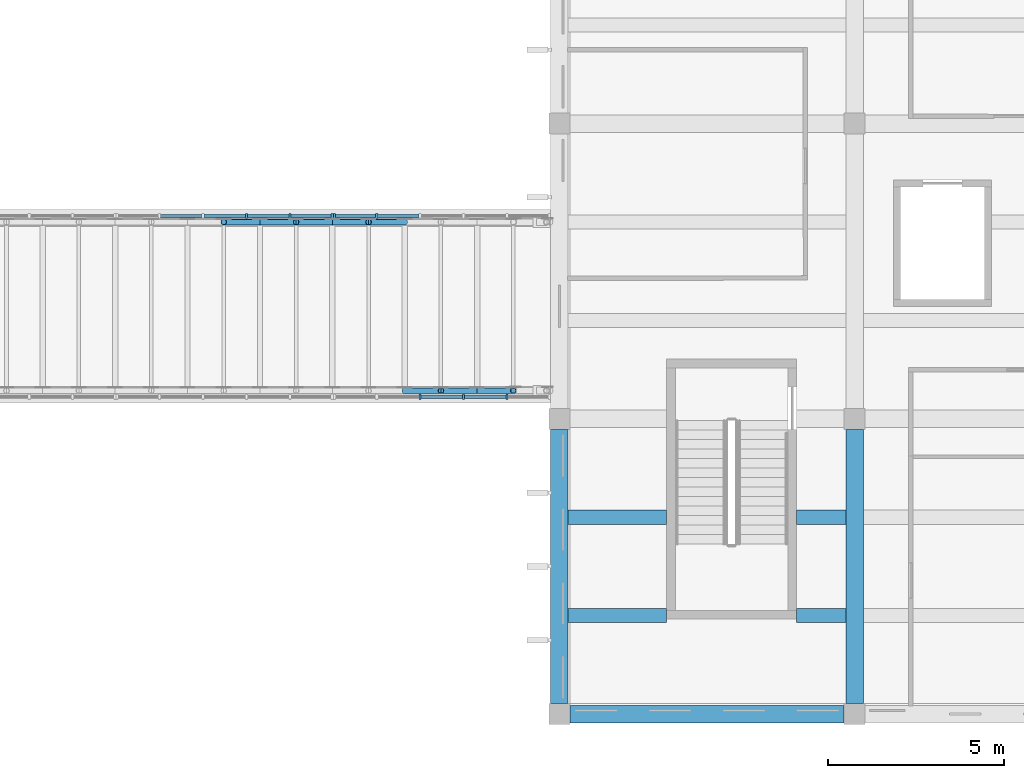
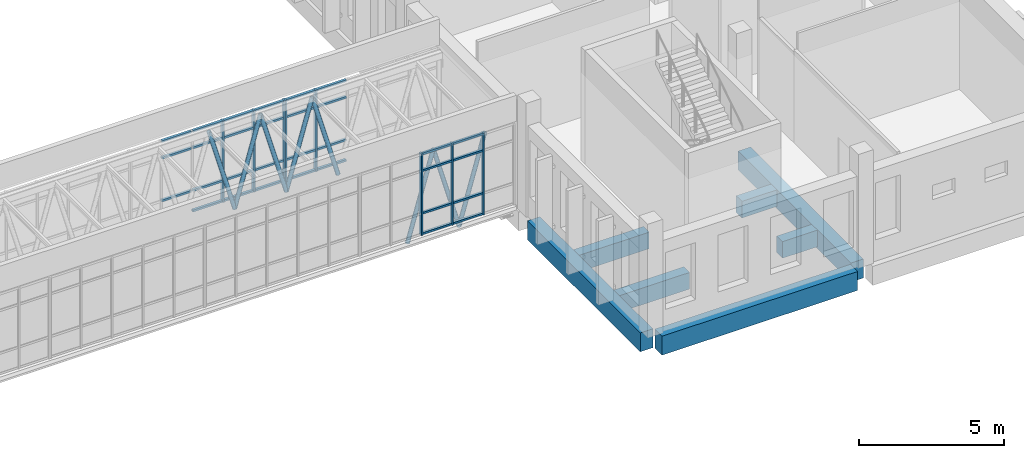
# One storey, part 13 of 119: 47 members, 7 beams, 3 elements without a shape of their own.
"""IFC4 building model written with IfcOpenShell, lengths in metres."""

from ifc_helpers import new_model, si_unit, direction, frame, origin, origin_2d, place, context, subcontext, project, spatial, rectangle, hollow_circle, extrude, material, layer, layer_set, material_profile, profile_set, type_object, element, aggregate, save


model = new_model("IFC4")

# Units and contexts
model_context = context("Model", 3, precision=1e-05, world=origin(), true_north=direction((0.0, 1.0)))
body_context = subcontext(model_context, "Body", "Model", "MODEL_VIEW")
ifc_project = project(units=[si_unit("LENGTHUNIT", "METRE"), si_unit("AREAUNIT", "SQUARE_METRE"), si_unit("VOLUMEUNIT", "CUBIC_METRE"), si_unit("PLANEANGLEUNIT", "RADIAN"), si_unit("MASSUNIT", "GRAM", prefix="KILO")], contexts=[model_context])

# Site, building, storey
site_placement = place(None, origin())
site = spatial("IfcSite", under=ifc_project, at=site_placement, CompositionType="ELEMENT")
building_placement = place(site_placement, origin())
building = spatial("IfcBuilding", under=site, at=building_placement, Name="Larchfold Concert Hall", CompositionType="ELEMENT")
storey_placement = place(building_placement, frame((0.0, 0.0, 4.800048828125)))
storey = spatial("IfcBuildingStorey", under=building, at=storey_placement, Name="L01", CompositionType="ELEMENT", Elevation=4.800048828125)

# Curtain wall, members
ifc_material_1 = material(Name="Anodised graphite aluminium curtain wall", Category="aluminium")
ifc_layer = layer(ifc_material_1, 0.14990234375)
ifc_layer_set = layer_set([ifc_layer], Name="Anodised graphite aluminium curtain wall")
curtain_wall_type = type_object("IfcCurtainWallType", Name="Curtain wall WG", PredefinedType="NOTDEFINED", material=ifc_layer_set)
curtain_wall_1_placement = place(storey_placement, origin())
curtain_wall_1 = element("IfcCurtainWall", 1, at=curtain_wall_1_placement, inside=storey, type_object=curtain_wall_type, Name="Curtain wall CW0306", PredefinedType="NOTDEFINED")
ifc_material_2 = material(Name="Anodised graphite aluminium mullion", Category="aluminium")
ifc_material_profile_1 = material_profile(ifc_material_2, rectangle(XDim=0.14990234375, YDim=0.06005859375, at=origin_2d()))
ifc_profile_set_1 = profile_set([ifc_material_profile_1], Name="Anodised graphite aluminium mullion")
member_type_1 = type_object("IfcMemberType", Name="Aluminium mullion 60x150", PredefinedType="MULLION", material=ifc_profile_set_1)
member_1_placement = place(storey_placement, frame((80.6376953125, 9.626708984375, 0.0), z_axis=(0.0, 0.0, 1.0), x_axis=(0.0, 1.0, 0.0)))
member_1 = element("IfcMember", 2, at=member_1_placement, type_object=member_type_1, Name="CW0306 mullion 3", PredefinedType="MULLION", context=body_context, shape_type="SweptSolid", body=[
    extrude(rectangle(XDim=0.14990234375, YDim=0.06005859375, at=origin_2d()), origin(), (0.0, 0.0, 1.0), 3.43994140625),
])
member_2_placement = place(storey_placement, frame((81.87353515625, 9.626708984375, 0.0), z_axis=(0.0, 0.0, 1.0), x_axis=(0.0, 1.0, 0.0)))
member_2 = element("IfcMember", 3, at=member_2_placement, type_object=member_type_1, Name="CW0306 mullion 4", PredefinedType="MULLION", context=body_context, shape_type="SweptSolid", body=[
    extrude(rectangle(XDim=0.14990234375, YDim=0.06005859375, at=origin_2d()), origin(), (0.0, 0.0, 1.0), 3.43994140625),
])
member_3_placement = place(storey_placement, frame((83.109130859375, 9.626708984375, 0.0), z_axis=(0.0, 0.0, 1.0), x_axis=(0.0, 1.0, 0.0)))
member_3 = element("IfcMember", 4, at=member_3_placement, type_object=member_type_1, Name="CW0306 mullion 5", PredefinedType="MULLION", context=body_context, shape_type="SweptSolid", body=[
    extrude(rectangle(XDim=0.14990234375, YDim=0.06005859375, at=origin_2d()), origin(), (0.0, 0.0, 1.0), 3.43994140625),
])

curtain_wall_2_placement = place(storey_placement, origin())
curtain_wall_2 = element("IfcCurtainWall", 5, at=curtain_wall_2_placement, inside=storey, type_object=curtain_wall_type, Name="Curtain wall CW0309", PredefinedType="NOTDEFINED")
member_4_placement = place(storey_placement, frame((75.694580078125, 14.7734375, 0.0), z_axis=(0.0, 0.0, 1.0), x_axis=(0.0, 1.0, 0.0)))
member_4 = element("IfcMember", 6, at=member_4_placement, type_object=member_type_1, Name="CW0309 mullion 4", PredefinedType="MULLION", context=body_context, shape_type="SweptSolid", body=[
    extrude(rectangle(XDim=0.14990234375, YDim=0.06005859375, at=origin_2d()), origin(), (0.0, 0.0, 1.0), 3.43994140625),
])
member_5_placement = place(storey_placement, frame((76.930419921875, 14.7734375, 0.0), z_axis=(0.0, 0.0, 1.0), x_axis=(0.0, 1.0, 0.0)))
member_5 = element("IfcMember", 7, at=member_5_placement, type_object=member_type_1, Name="CW0309 mullion 5", PredefinedType="MULLION", context=body_context, shape_type="SweptSolid", body=[
    extrude(rectangle(XDim=0.14990234375, YDim=0.06005859375, at=origin_2d()), origin(), (0.0, 0.0, 1.0), 3.43994140625),
])
member_6_placement = place(storey_placement, frame((78.13623046875, 14.7734375, 0.0), z_axis=(0.0, 0.0, 1.0), x_axis=(0.0, 1.0, 0.0)))
member_6 = element("IfcMember", 8, at=member_6_placement, type_object=member_type_1, Name="CW0309 mullion 6", PredefinedType="MULLION", context=body_context, shape_type="SweptSolid", body=[
    extrude(rectangle(XDim=0.14990234375, YDim=0.06005859375, at=origin_2d()), origin(), (0.0, 0.0, 1.0), 3.43994140625),
])

curtain_wall_3_placement = place(storey_placement, origin())
curtain_wall_3 = element("IfcCurtainWall", 9, at=curtain_wall_3_placement, inside=storey, type_object=curtain_wall_type, Name="Curtain wall CW0310", PredefinedType="NOTDEFINED")
member_7_placement = place(storey_placement, frame((78.1962890625, 14.7734375, 0.0), z_axis=(0.0, 0.0, 1.0), x_axis=(0.0, 1.0, 0.0)))
member_7 = element("IfcMember", 10, at=member_7_placement, type_object=member_type_1, Name="CW0310 mullion 1", PredefinedType="MULLION", context=body_context, shape_type="SweptSolid", body=[
    extrude(rectangle(XDim=0.14990234375, YDim=0.06005859375, at=origin_2d()), origin(), (0.0, 0.0, 1.0), 3.43994140625),
])
member_8_placement = place(storey_placement, frame((79.402099609375, 14.7734375, 0.0), z_axis=(0.0, 0.0, 1.0), x_axis=(0.0, 1.0, 0.0)))
member_8 = element("IfcMember", 11, at=member_8_placement, type_object=member_type_1, Name="CW0310 mullion 2", PredefinedType="MULLION", context=body_context, shape_type="SweptSolid", body=[
    extrude(rectangle(XDim=0.14990234375, YDim=0.06005859375, at=origin_2d()), origin(), (0.0, 0.0, 1.0), 3.43994140625),
])

# Member
ifc_material_3 = material(Name="Anodised graphite aluminium transom", Category="aluminium")
ifc_material_profile_2 = material_profile(ifc_material_3, rectangle(XDim=0.10009765625, YDim=0.080078125, at=origin_2d()))
ifc_profile_set_2 = profile_set([ifc_material_profile_2], Name="Anodised graphite aluminium transom")
member_type_2 = type_object("IfcMemberType", Name="Aluminium transom 80x100", PredefinedType="USERDEFINED", material=ifc_profile_set_2)
member_9_placement = place(storey_placement, frame((80.667724609375, 9.626708984375, 0.0400390625), z_axis=(1.0, 0.0, 0.0), x_axis=(0.0, 1.0, 0.0)))
member_9 = element("IfcMember", 12, at=member_9_placement, type_object=member_type_2, Name="CW0306 transom 3.1", ObjectType="TRANSOM", PredefinedType="USERDEFINED", context=body_context, shape_type="SweptSolid", body=[
    extrude(rectangle(XDim=0.10009765625, YDim=0.080078125, at=origin_2d()), origin(), (0.0, 0.0, 1.0), 1.17578125),
])

member_10_placement = place(storey_placement, frame((80.667724609375, 9.626708984375, 0.89990234375), z_axis=(1.0, 0.0, 0.0), x_axis=(0.0, 1.0, 0.0)))
member_10 = element("IfcMember", 13, at=member_10_placement, type_object=member_type_2, Name="CW0306 transom 3.2", ObjectType="TRANSOM", PredefinedType="USERDEFINED", context=body_context, shape_type="SweptSolid", body=[
    extrude(rectangle(XDim=0.10009765625, YDim=0.080078125, at=origin_2d()), origin(), (0.0, 0.0, 1.0), 1.17578125),
])

member_11_placement = place(storey_placement, frame((80.667724609375, 9.626708984375, 2.699951171875), z_axis=(1.0, 0.0, 0.0), x_axis=(0.0, 1.0, 0.0)))
member_11 = element("IfcMember", 14, at=member_11_placement, type_object=member_type_2, Name="CW0306 transom 3.3", ObjectType="TRANSOM", PredefinedType="USERDEFINED", context=body_context, shape_type="SweptSolid", body=[
    extrude(rectangle(XDim=0.10009765625, YDim=0.080078125, at=origin_2d()), origin(), (0.0, 0.0, 1.0), 1.17578125),
])

member_12_placement = place(storey_placement, frame((80.667724609375, 9.626708984375, 3.39990234375), z_axis=(1.0, 0.0, 0.0), x_axis=(0.0, 1.0, 0.0)))
member_12 = element("IfcMember", 15, at=member_12_placement, type_object=member_type_2, Name="CW0306 transom 3.4", ObjectType="TRANSOM", PredefinedType="USERDEFINED", context=body_context, shape_type="SweptSolid", body=[
    extrude(rectangle(XDim=0.10009765625, YDim=0.080078125, at=origin_2d()), origin(), (0.0, 0.0, 1.0), 1.17578125),
])

member_13_placement = place(storey_placement, frame((81.903564453125, 9.626708984375, 0.0400390625), z_axis=(1.0, 0.0, 0.0), x_axis=(0.0, 1.0, 0.0)))
member_13 = element("IfcMember", 16, at=member_13_placement, type_object=member_type_2, Name="CW0306 transom 4.1", ObjectType="TRANSOM", PredefinedType="USERDEFINED", context=body_context, shape_type="SweptSolid", body=[
    extrude(rectangle(XDim=0.10009765625, YDim=0.080078125, at=origin_2d()), origin(), (0.0, 0.0, 1.0), 1.17578125),
])

member_14_placement = place(storey_placement, frame((81.903564453125, 9.626708984375, 0.89990234375), z_axis=(1.0, 0.0, 0.0), x_axis=(0.0, 1.0, 0.0)))
member_14 = element("IfcMember", 17, at=member_14_placement, type_object=member_type_2, Name="CW0306 transom 4.2", ObjectType="TRANSOM", PredefinedType="USERDEFINED", context=body_context, shape_type="SweptSolid", body=[
    extrude(rectangle(XDim=0.10009765625, YDim=0.080078125, at=origin_2d()), origin(), (0.0, 0.0, 1.0), 1.17578125),
])

member_15_placement = place(storey_placement, frame((81.903564453125, 9.626708984375, 2.699951171875), z_axis=(1.0, 0.0, 0.0), x_axis=(0.0, 1.0, 0.0)))
member_15 = element("IfcMember", 18, at=member_15_placement, type_object=member_type_2, Name="CW0306 transom 4.3", ObjectType="TRANSOM", PredefinedType="USERDEFINED", context=body_context, shape_type="SweptSolid", body=[
    extrude(rectangle(XDim=0.10009765625, YDim=0.080078125, at=origin_2d()), origin(), (0.0, 0.0, 1.0), 1.17578125),
])

member_16_placement = place(storey_placement, frame((81.903564453125, 9.626708984375, 3.39990234375), z_axis=(1.0, 0.0, 0.0), x_axis=(0.0, 1.0, 0.0)))
member_16 = element("IfcMember", 19, at=member_16_placement, type_object=member_type_2, Name="CW0306 transom 4.4", ObjectType="TRANSOM", PredefinedType="USERDEFINED", context=body_context, shape_type="SweptSolid", body=[
    extrude(rectangle(XDim=0.10009765625, YDim=0.080078125, at=origin_2d()), origin(), (0.0, 0.0, 1.0), 1.17578125),
])

aggregate(curtain_wall_1, [member_1, member_2, member_3, member_9, member_10, member_11, member_12, member_13, member_14, member_15, member_16])

member_17_placement = place(storey_placement, frame((73.253173828125, 14.7734375, 0.89990234375), z_axis=(1.0, 0.0, 0.0), x_axis=(0.0, 1.0, 0.0)))
member_17 = element("IfcMember", 20, at=member_17_placement, type_object=member_type_2, Name="CW0309 transom 2.2", ObjectType="TRANSOM", PredefinedType="USERDEFINED", context=body_context, shape_type="SweptSolid", body=[
    extrude(rectangle(XDim=0.10009765625, YDim=0.080078125, at=origin_2d()), origin(), (0.0, 0.0, 1.0), 1.17578125),
])

member_18_placement = place(storey_placement, frame((73.253173828125, 14.7734375, 2.699951171875), z_axis=(1.0, 0.0, 0.0), x_axis=(0.0, 1.0, 0.0)))
member_18 = element("IfcMember", 21, at=member_18_placement, type_object=member_type_2, Name="CW0309 transom 2.3", ObjectType="TRANSOM", PredefinedType="USERDEFINED", context=body_context, shape_type="SweptSolid", body=[
    extrude(rectangle(XDim=0.10009765625, YDim=0.080078125, at=origin_2d()), origin(), (0.0, 0.0, 1.0), 1.17578125),
])

member_19_placement = place(storey_placement, frame((73.253173828125, 14.7734375, 3.39990234375), z_axis=(1.0, 0.0, 0.0), x_axis=(0.0, 1.0, 0.0)))
member_19 = element("IfcMember", 22, at=member_19_placement, type_object=member_type_2, Name="CW0309 transom 2.4", ObjectType="TRANSOM", PredefinedType="USERDEFINED", context=body_context, shape_type="SweptSolid", body=[
    extrude(rectangle(XDim=0.10009765625, YDim=0.080078125, at=origin_2d()), origin(), (0.0, 0.0, 1.0), 1.17578125),
])

member_20_placement = place(storey_placement, frame((74.48876953125, 14.7734375, 0.0400390625), z_axis=(1.0, 0.0, 0.0), x_axis=(0.0, 1.0, 0.0)))
member_20 = element("IfcMember", 23, at=member_20_placement, type_object=member_type_2, Name="CW0309 transom 3.1", ObjectType="TRANSOM", PredefinedType="USERDEFINED", context=body_context, shape_type="SweptSolid", body=[
    extrude(rectangle(XDim=0.10009765625, YDim=0.080078125, at=origin_2d()), origin(), (0.0, 0.0, 1.0), 1.176025390625),
])

member_21_placement = place(storey_placement, frame((74.48876953125, 14.7734375, 0.89990234375), z_axis=(1.0, 0.0, 0.0), x_axis=(0.0, 1.0, 0.0)))
member_21 = element("IfcMember", 24, at=member_21_placement, type_object=member_type_2, Name="CW0309 transom 3.2", ObjectType="TRANSOM", PredefinedType="USERDEFINED", context=body_context, shape_type="SweptSolid", body=[
    extrude(rectangle(XDim=0.10009765625, YDim=0.080078125, at=origin_2d()), origin(), (0.0, 0.0, 1.0), 1.176025390625),
])

member_22_placement = place(storey_placement, frame((74.48876953125, 14.7734375, 2.699951171875), z_axis=(1.0, 0.0, 0.0), x_axis=(0.0, 1.0, 0.0)))
member_22 = element("IfcMember", 25, at=member_22_placement, type_object=member_type_2, Name="CW0309 transom 3.3", ObjectType="TRANSOM", PredefinedType="USERDEFINED", context=body_context, shape_type="SweptSolid", body=[
    extrude(rectangle(XDim=0.10009765625, YDim=0.080078125, at=origin_2d()), origin(), (0.0, 0.0, 1.0), 1.176025390625),
])

member_23_placement = place(storey_placement, frame((74.48876953125, 14.7734375, 3.39990234375), z_axis=(1.0, 0.0, 0.0), x_axis=(0.0, 1.0, 0.0)))
member_23 = element("IfcMember", 26, at=member_23_placement, type_object=member_type_2, Name="CW0309 transom 3.4", ObjectType="TRANSOM", PredefinedType="USERDEFINED", context=body_context, shape_type="SweptSolid", body=[
    extrude(rectangle(XDim=0.10009765625, YDim=0.080078125, at=origin_2d()), origin(), (0.0, 0.0, 1.0), 1.176025390625),
])

member_24_placement = place(storey_placement, frame((75.724609375, 14.7734375, 0.0400390625), z_axis=(1.0, 0.0, 0.0), x_axis=(0.0, 1.0, 0.0)))
member_24 = element("IfcMember", 27, at=member_24_placement, type_object=member_type_2, Name="CW0309 transom 4.1", ObjectType="TRANSOM", PredefinedType="USERDEFINED", context=body_context, shape_type="SweptSolid", body=[
    extrude(rectangle(XDim=0.10009765625, YDim=0.080078125, at=origin_2d()), origin(), (0.0, 0.0, 1.0), 1.17578125),
])

member_25_placement = place(storey_placement, frame((75.724609375, 14.7734375, 0.89990234375), z_axis=(1.0, 0.0, 0.0), x_axis=(0.0, 1.0, 0.0)))
member_25 = element("IfcMember", 28, at=member_25_placement, type_object=member_type_2, Name="CW0309 transom 4.2", ObjectType="TRANSOM", PredefinedType="USERDEFINED", context=body_context, shape_type="SweptSolid", body=[
    extrude(rectangle(XDim=0.10009765625, YDim=0.080078125, at=origin_2d()), origin(), (0.0, 0.0, 1.0), 1.17578125),
])

member_26_placement = place(storey_placement, frame((75.724609375, 14.7734375, 2.699951171875), z_axis=(1.0, 0.0, 0.0), x_axis=(0.0, 1.0, 0.0)))
member_26 = element("IfcMember", 29, at=member_26_placement, type_object=member_type_2, Name="CW0309 transom 4.3", ObjectType="TRANSOM", PredefinedType="USERDEFINED", context=body_context, shape_type="SweptSolid", body=[
    extrude(rectangle(XDim=0.10009765625, YDim=0.080078125, at=origin_2d()), origin(), (0.0, 0.0, 1.0), 1.17578125),
])

member_27_placement = place(storey_placement, frame((75.724609375, 14.7734375, 3.39990234375), z_axis=(1.0, 0.0, 0.0), x_axis=(0.0, 1.0, 0.0)))
member_27 = element("IfcMember", 30, at=member_27_placement, type_object=member_type_2, Name="CW0309 transom 4.4", ObjectType="TRANSOM", PredefinedType="USERDEFINED", context=body_context, shape_type="SweptSolid", body=[
    extrude(rectangle(XDim=0.10009765625, YDim=0.080078125, at=origin_2d()), origin(), (0.0, 0.0, 1.0), 1.17578125),
])

member_28_placement = place(storey_placement, frame((76.96044921875, 14.7734375, 0.0400390625), z_axis=(1.0, 0.0, 0.0), x_axis=(0.0, 1.0, 0.0)))
member_28 = element("IfcMember", 31, at=member_28_placement, type_object=member_type_2, Name="CW0309 transom 5.1", ObjectType="TRANSOM", PredefinedType="USERDEFINED", context=body_context, shape_type="SweptSolid", body=[
    extrude(rectangle(XDim=0.10009765625, YDim=0.080078125, at=origin_2d()), origin(), (0.0, 0.0, 1.0), 1.145751953125),
])

member_29_placement = place(storey_placement, frame((76.96044921875, 14.7734375, 0.89990234375), z_axis=(1.0, 0.0, 0.0), x_axis=(0.0, 1.0, 0.0)))
member_29 = element("IfcMember", 32, at=member_29_placement, type_object=member_type_2, Name="CW0309 transom 5.2", ObjectType="TRANSOM", PredefinedType="USERDEFINED", context=body_context, shape_type="SweptSolid", body=[
    extrude(rectangle(XDim=0.10009765625, YDim=0.080078125, at=origin_2d()), origin(), (0.0, 0.0, 1.0), 1.145751953125),
])

member_30_placement = place(storey_placement, frame((76.96044921875, 14.7734375, 2.699951171875), z_axis=(1.0, 0.0, 0.0), x_axis=(0.0, 1.0, 0.0)))
member_30 = element("IfcMember", 33, at=member_30_placement, type_object=member_type_2, Name="CW0309 transom 5.3", ObjectType="TRANSOM", PredefinedType="USERDEFINED", context=body_context, shape_type="SweptSolid", body=[
    extrude(rectangle(XDim=0.10009765625, YDim=0.080078125, at=origin_2d()), origin(), (0.0, 0.0, 1.0), 1.145751953125),
])

member_31_placement = place(storey_placement, frame((76.96044921875, 14.7734375, 3.39990234375), z_axis=(1.0, 0.0, 0.0), x_axis=(0.0, 1.0, 0.0)))
member_31 = element("IfcMember", 34, at=member_31_placement, type_object=member_type_2, Name="CW0309 transom 5.4", ObjectType="TRANSOM", PredefinedType="USERDEFINED", context=body_context, shape_type="SweptSolid", body=[
    extrude(rectangle(XDim=0.10009765625, YDim=0.080078125, at=origin_2d()), origin(), (0.0, 0.0, 1.0), 1.145751953125),
])

aggregate(curtain_wall_2, [member_4, member_5, member_6, member_17, member_18, member_19, member_20, member_21, member_22, member_23, member_24, member_25, member_26, member_27, member_28, member_29, member_30, member_31])

member_32_placement = place(storey_placement, frame((78.226318359375, 14.7734375, 0.0400390625), z_axis=(1.0, 0.0, 0.0), x_axis=(0.0, 1.0, 0.0)))
member_32 = element("IfcMember", 35, at=member_32_placement, type_object=member_type_2, Name="CW0310 transom 1.1", ObjectType="TRANSOM", PredefinedType="USERDEFINED", context=body_context, shape_type="SweptSolid", body=[
    extrude(rectangle(XDim=0.10009765625, YDim=0.080078125, at=origin_2d()), origin(), (0.0, 0.0, 1.0), 1.145751953125),
])

member_33_placement = place(storey_placement, frame((78.226318359375, 14.7734375, 0.89990234375), z_axis=(1.0, 0.0, 0.0), x_axis=(0.0, 1.0, 0.0)))
member_33 = element("IfcMember", 36, at=member_33_placement, type_object=member_type_2, Name="CW0310 transom 1.2", ObjectType="TRANSOM", PredefinedType="USERDEFINED", context=body_context, shape_type="SweptSolid", body=[
    extrude(rectangle(XDim=0.10009765625, YDim=0.080078125, at=origin_2d()), origin(), (0.0, 0.0, 1.0), 1.145751953125),
])

member_34_placement = place(storey_placement, frame((78.226318359375, 14.7734375, 2.699951171875), z_axis=(1.0, 0.0, 0.0), x_axis=(0.0, 1.0, 0.0)))
member_34 = element("IfcMember", 37, at=member_34_placement, type_object=member_type_2, Name="CW0310 transom 1.3", ObjectType="TRANSOM", PredefinedType="USERDEFINED", context=body_context, shape_type="SweptSolid", body=[
    extrude(rectangle(XDim=0.10009765625, YDim=0.080078125, at=origin_2d()), origin(), (0.0, 0.0, 1.0), 1.145751953125),
])

member_35_placement = place(storey_placement, frame((78.226318359375, 14.7734375, 3.39990234375), z_axis=(1.0, 0.0, 0.0), x_axis=(0.0, 1.0, 0.0)))
member_35 = element("IfcMember", 38, at=member_35_placement, type_object=member_type_2, Name="CW0310 transom 1.4", ObjectType="TRANSOM", PredefinedType="USERDEFINED", context=body_context, shape_type="SweptSolid", body=[
    extrude(rectangle(XDim=0.10009765625, YDim=0.080078125, at=origin_2d()), origin(), (0.0, 0.0, 1.0), 1.145751953125),
])

member_36_placement = place(storey_placement, frame((79.431884765625, 14.7734375, 0.0400390625), z_axis=(1.0, 0.0, 0.0), x_axis=(0.0, 1.0, 0.0)))
member_36 = element("IfcMember", 39, at=member_36_placement, type_object=member_type_2, Name="CW0310 transom 2.1", ObjectType="TRANSOM", PredefinedType="USERDEFINED", context=body_context, shape_type="SweptSolid", body=[
    extrude(rectangle(XDim=0.10009765625, YDim=0.080078125, at=origin_2d()), origin(), (0.0, 0.0, 1.0), 1.17578125),
])

member_37_placement = place(storey_placement, frame((79.431884765625, 14.7734375, 0.89990234375), z_axis=(1.0, 0.0, 0.0), x_axis=(0.0, 1.0, 0.0)))
member_37 = element("IfcMember", 40, at=member_37_placement, type_object=member_type_2, Name="CW0310 transom 2.2", ObjectType="TRANSOM", PredefinedType="USERDEFINED", context=body_context, shape_type="SweptSolid", body=[
    extrude(rectangle(XDim=0.10009765625, YDim=0.080078125, at=origin_2d()), origin(), (0.0, 0.0, 1.0), 1.17578125),
])

member_38_placement = place(storey_placement, frame((79.431884765625, 14.7734375, 2.699951171875), z_axis=(1.0, 0.0, 0.0), x_axis=(0.0, 1.0, 0.0)))
member_38 = element("IfcMember", 41, at=member_38_placement, type_object=member_type_2, Name="CW0310 transom 2.3", ObjectType="TRANSOM", PredefinedType="USERDEFINED", context=body_context, shape_type="SweptSolid", body=[
    extrude(rectangle(XDim=0.10009765625, YDim=0.080078125, at=origin_2d()), origin(), (0.0, 0.0, 1.0), 1.17578125),
])

member_39_placement = place(storey_placement, frame((79.431884765625, 14.7734375, 3.39990234375), z_axis=(1.0, 0.0, 0.0), x_axis=(0.0, 1.0, 0.0)))
member_39 = element("IfcMember", 42, at=member_39_placement, type_object=member_type_2, Name="CW0310 transom 2.4", ObjectType="TRANSOM", PredefinedType="USERDEFINED", context=body_context, shape_type="SweptSolid", body=[
    extrude(rectangle(XDim=0.10009765625, YDim=0.080078125, at=origin_2d()), origin(), (0.0, 0.0, 1.0), 1.17578125),
])

aggregate(curtain_wall_3, [member_7, member_8, member_32, member_33, member_34, member_35, member_36, member_37, member_38, member_39])

# Beams
ifc_material_4 = material(Name="Concrete C35/45", Category="concrete")
ifc_material_profile_3 = material_profile(ifc_material_4, rectangle(XDim=0.39990234375, YDim=0.699951171875, at=origin_2d()))
ifc_profile_set_3 = profile_set([ifc_material_profile_3], Name="Concrete C35/45")
beam_type_1 = type_object("IfcBeamType", Name="Beam RC 400x700", PredefinedType="BEAM", material=ifc_profile_set_3)
beam_1_placement = place(storey_placement, frame((84.85009765625, 3.39990234375, -0.510009765625), z_axis=(1.0, 0.0, 0.0), x_axis=(0.0, 1.0, 0.0)))
element("IfcBeam", 43, at=beam_1_placement, inside=storey, type_object=beam_type_1, Name="Beam B0554", PredefinedType="BEAM", context=body_context, shape_type="SweptSolid", body=[
    extrude(rectangle(XDim=0.39990234375, YDim=0.699951171875, at=origin_2d()), origin(), (0.0, 0.0, 1.0), 2.7998046875),
])
beam_2_placement = place(storey_placement, frame((91.35009765625, 3.39990234375, -0.510009765625), z_axis=(1.0, 0.0, 0.0), x_axis=(0.0, 1.0, 0.0)))
element("IfcBeam", 44, at=beam_2_placement, inside=storey, type_object=beam_type_1, Name="Beam B0555", PredefinedType="BEAM", context=body_context, shape_type="SweptSolid", body=[
    extrude(rectangle(XDim=0.39990234375, YDim=0.699951171875, at=origin_2d()), origin(), (0.0, 0.0, 1.0), 1.39990234375),
])
beam_3_placement = place(storey_placement, frame((84.85009765625, 6.199951171875, -0.510009765625), z_axis=(1.0, 0.0, 0.0), x_axis=(0.0, 1.0, 0.0)))
element("IfcBeam", 45, at=beam_3_placement, inside=storey, type_object=beam_type_1, Name="Beam B0557", PredefinedType="BEAM", context=body_context, shape_type="SweptSolid", body=[
    extrude(rectangle(XDim=0.39990234375, YDim=0.699951171875, at=origin_2d()), origin(), (0.0, 0.0, 1.0), 2.7998046875),
])
beam_4_placement = place(storey_placement, frame((91.35009765625, 6.199951171875, -0.510009765625), z_axis=(1.0, 0.0, 0.0), x_axis=(0.0, 1.0, 0.0)))
element("IfcBeam", 46, at=beam_4_placement, inside=storey, type_object=beam_type_1, Name="Beam B0558", PredefinedType="BEAM", context=body_context, shape_type="SweptSolid", body=[
    extrude(rectangle(XDim=0.39990234375, YDim=0.699951171875, at=origin_2d()), origin(), (0.0, 0.0, 1.0), 1.39990234375),
])
ifc_material_5 = material(Name="Concrete C35/45", Category="concrete")
ifc_material_profile_4 = material_profile(ifc_material_5, rectangle(XDim=0.5, YDim=0.800048828125, at=origin_2d()))
ifc_profile_set_4 = profile_set([ifc_material_profile_4], Name="Concrete C35/45")
beam_type_2 = type_object("IfcBeamType", Name="Beam RC 500x800", PredefinedType="BEAM", material=ifc_profile_set_4)
for number, where, z_axis, x_axis, name in (
    (47, (84.60009765625, 0.89990234375, -0.56005859375), (0.0, 1.0, 0.0), (-1.0, 0.0, 0.0), "Beam B0514"),
    (48, (93.0, 0.89990234375, -0.56005859375), (0.0, 1.0, 0.0), (-1.0, 0.0, 0.0), "Beam B0521"),
    (49, (84.89990234375, 0.60009765625, -0.56005859375), (1.0, 0.0, 0.0), (0.0, 1.0, 0.0), "Beam B0536"),
):
    element("IfcBeam", number, at=place(storey_placement, frame(where, z_axis=z_axis, x_axis=x_axis)), inside=storey, type_object=beam_type_2, Name=name, PredefinedType="BEAM", context=body_context, shape_type="SweptSolid", body=[
        extrude(rectangle(XDim=0.5, YDim=0.800048828125, at=origin_2d()), origin(), (0.0, 0.0, 1.0), 7.800048828125),
    ])

# Members
ifc_material_6 = material(Name="Steel S355J2H", Category="steel")
ifc_material_profile_5 = material_profile(ifc_material_6, hollow_circle(Radius=0.084228515625, WallThickness=0.008056640625, at=origin_2d()))
ifc_profile_set_5 = profile_set([ifc_material_profile_5], Name="Steel S355J2H")
member_type_3 = type_object("IfcMemberType", Name="Link truss web CHS 168.3x8", PredefinedType="BRACE", material=ifc_profile_set_5)
for number, where, z_axis, x_axis, name in (
    (50, (80.199951171875, 9.800048828125, -0.31005859375), (0.275074167583, 0.0, 0.961423009049), (0.0, 1.0, 0.0), "Member LB1D21"),
    (51, (81.22998046875, 9.800048828125, 3.2900390625), (0.275074167583, 0.0, -0.961423009049), (0.0, 1.0, 0.0), "Member LB1D22"),
    (52, (82.260009765625, 9.800048828125, -0.31005859375), (0.275074167583, 0.0, 0.961423009049), (0.0, 1.0, 0.0), "Member LB1D23"),
    (53, (75.050048828125, 14.60009765625, 3.2900390625), (0.275074167583, 0.0, -0.961423009049), (0.0, 1.0, 0.0), "Member LB2D16"),
    (54, (76.080078125, 14.60009765625, -0.31005859375), (0.275074167583, 0.0, 0.961423009049), (0.0, 1.0, 0.0), "Member LB2D17"),
    (55, (77.110107421875, 14.60009765625, 3.2900390625), (0.275074167583, 0.0, -0.961423009049), (0.0, 1.0, 0.0), "Member LB2D18"),
):
    element("IfcMember", number, at=place(storey_placement, frame(where, z_axis=z_axis, x_axis=x_axis)), inside=storey, type_object=member_type_3, Name=name, PredefinedType="BRACE", context=body_context, shape_type="SweptSolid", body=[
        extrude(hollow_circle(Radius=0.084228515625, WallThickness=0.008056640625, at=origin_2d()), origin(), (0.0, 0.0, 1.0), 3.74462890625),
    ])
member_40_placement = place(storey_placement, frame((78.14013671875, 14.60009765625, -0.31005859375), z_axis=(0.275013900387, 0.0, 0.961440250143), x_axis=(0.0, 1.0, 0.0)))
element("IfcMember", 56, at=member_40_placement, inside=storey, type_object=member_type_3, Name="Member LB2D19", PredefinedType="BRACE", context=body_context, shape_type="SweptSolid", body=[
    extrude(hollow_circle(Radius=0.084228515625, WallThickness=0.008056640625, at=origin_2d()), origin(), (0.0, 0.0, 1.0), 3.744384765625),
])
member_41_placement = place(storey_placement, frame((79.169921875, 14.60009765625, 3.2900390625), z_axis=(0.275074167583, 0.0, -0.961423009049), x_axis=(0.0, 1.0, 0.0)))
element("IfcMember", 57, at=member_41_placement, inside=storey, type_object=member_type_3, Name="Member LB2D20", PredefinedType="BRACE", context=body_context, shape_type="SweptSolid", body=[
    extrude(hollow_circle(Radius=0.084228515625, WallThickness=0.008056640625, at=origin_2d()), origin(), (0.0, 0.0, 1.0), 3.74462890625),
])

save(model, "model.ifc")
